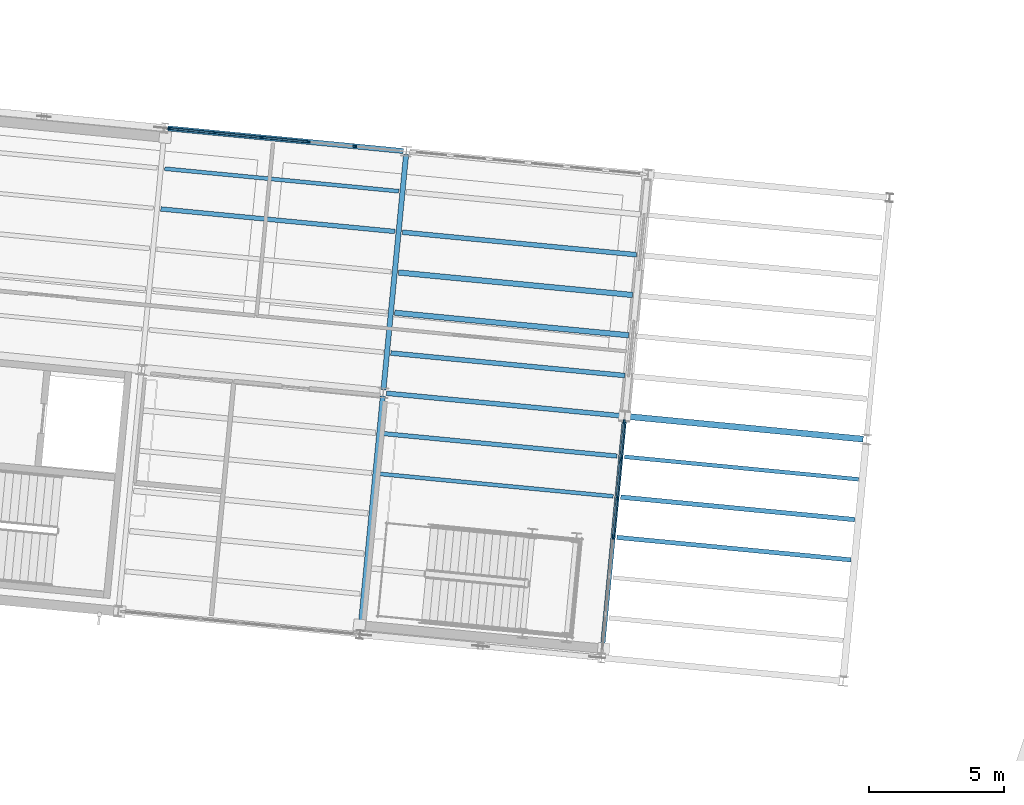
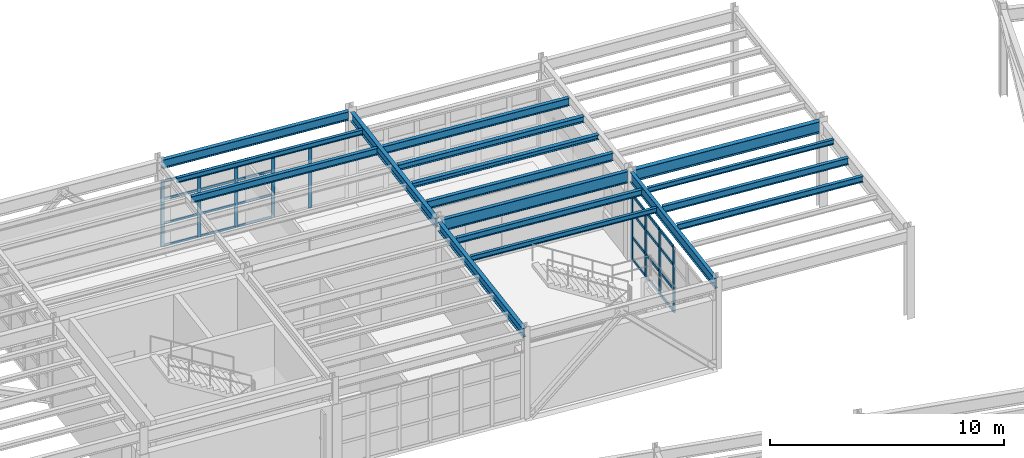
# One storey, part 48 of 109: 33 members, 17 beams, 2 elements without a shape of their own.
"""IFC4 building model written with IfcOpenShell, lengths in metres."""

import ifcopenshell
import ifcopenshell.guid

model = None  # the IFC model being written
_history = None  # IfcOwnerHistory: only IFC2X3 demands one
_inside = {}  # id of a spatial element -> (the spatial element, [elements in it])
_under = {}  # id of a project, library or spatial element -> (it, [spatial elements below it])
_declared = {}  # id of a project -> (the project, [libraries it declares])
_typed = {}  # id of a type object -> (the type object, [elements of that type])
_made_of = {}  # id of a material, layer set ... -> (it, [elements and type objects made of it])


def new_model(schema):
    """Start an empty IFC model of exactly this schema.

    Asked for "IFC4X3", IfcOpenShell would pick the latest addendum, in which some entities
    have other attributes; the version numbers below select the first issue.
    IFC2X3 requires an IfcOwnerHistory on every rooted entity: one is made here for all.
    """
    global model, _history
    if schema == "IFC4X3":
        model = ifcopenshell.file(schema_version=(4, 3, 0, 0))
    else:
        model = ifcopenshell.file(schema=schema)
    _inside.clear()
    _under.clear()
    _declared.clear()
    _typed.clear()
    _made_of.clear()
    _history = None
    if model.schema == "IFC2X3":
        org = make("IfcOrganization", Name="unknown")
        user = make(
            "IfcPersonAndOrganization",
            ThePerson=make("IfcPerson", FamilyName="unknown"),
            TheOrganization=org,
        )
        app = make(
            "IfcApplication",
            ApplicationDeveloper=org,
            Version="unknown",
            ApplicationFullName="unknown",
            ApplicationIdentifier="unknown",
        )
        _history = make(
            "IfcOwnerHistory",
            OwningUser=user,
            OwningApplication=app,
            ChangeAction="ADDED",
            CreationDate=0,
        )
    return model


def make(cls, **values):
    """One entity of the class cls with the attributes given. An attribute that is None is left unset."""
    return model.create_entity(
        cls, **{name: value for name, value in values.items() if value is not None}
    )


def rooted(cls, **values):
    """An entity with a GlobalId (a new one), such as an element, a storey or a relation."""
    return make(cls, GlobalId=ifcopenshell.guid.new(), OwnerHistory=_history, **values)


def si_unit(unit_type, name, prefix=None):
    """IfcSIUnit, for example si_unit("LENGTHUNIT", "METRE", prefix="MILLI")."""
    return make("IfcSIUnit", UnitType=unit_type, Prefix=prefix, Name=name)


def assignment(units):
    """IfcUnitAssignment: the units of a project."""
    return None if units is None else make("IfcUnitAssignment", Units=units)


def point(xyz):
    """IfcCartesianPoint."""
    return None if xyz is None else make("IfcCartesianPoint", Coordinates=xyz)


def direction(xyz):
    """IfcDirection."""
    return None if xyz is None else make("IfcDirection", DirectionRatios=xyz)


def frame(location, z_axis=None, x_axis=None):
    """IfcAxis2Placement3D, a coordinate frame: its origin and axes. An axis left out is left unset."""
    return make(
        "IfcAxis2Placement3D",
        Location=point(location),
        Axis=direction(z_axis),
        RefDirection=direction(x_axis),
    )


def frame_2d(location, x_axis=None):
    """IfcAxis2Placement2D, a coordinate frame in the plane: its origin and x axis."""
    return make(
        "IfcAxis2Placement2D", Location=point(location), RefDirection=direction(x_axis)
    )


def origin():
    """The frame at (0, 0, 0) with its axes left unset."""
    return frame((0.0, 0.0, 0.0))


def origin_2d():
    """The frame at (0, 0) in the plane with its x axis left unset."""
    return frame_2d((0.0, 0.0))


def place(relative_to, where):
    """IfcLocalPlacement: puts the frame where relative to a parent placement (None: the world)."""
    return make(
        "IfcLocalPlacement", PlacementRelTo=relative_to, RelativePlacement=where
    )


def context(
    kind, dimensions, precision=None, world=None, true_north=None, identifier=None
):
    """IfcGeometricRepresentationContext, for example the 3D "Model" context."""
    return make(
        "IfcGeometricRepresentationContext",
        ContextIdentifier=identifier,
        ContextType=kind,
        CoordinateSpaceDimension=dimensions,
        Precision=precision,
        WorldCoordinateSystem=world,
        TrueNorth=true_north,
    )


def subcontext(parent, identifier, kind, view, scale=None):
    """IfcGeometricRepresentationSubContext, for example "Body" below "Model"."""
    return make(
        "IfcGeometricRepresentationSubContext",
        ContextIdentifier=identifier,
        ContextType=kind,
        ParentContext=parent,
        TargetScale=scale,
        TargetView=view,
    )


def project(units=None, contexts=None):
    """IfcProject with its units and contexts."""
    return rooted(
        "IfcProject",
        Name="project",
        RepresentationContexts=contexts,
        UnitsInContext=assignment(units),
    )


def spatial(cls, under=None, at=None, **own):
    """A site, building, storey or space (cls), placed at a placement, below another one or the project."""
    s = rooted(cls, ObjectPlacement=at, **own)
    if under is not None:
        _under.setdefault(under.id(), (under, []))[1].append(s)
    return s


def profile(cls, at=None, kind="AREA", **sizes):
    """A parametric profile (cls). Its sizes go by their IFC names, for example OverallWidth=200.0."""
    return make(cls, ProfileType=kind, Position=at, **sizes)


def rectangle(**sizes):
    """IfcRectangleProfileDef."""
    return profile("IfcRectangleProfileDef", **sizes)


def i_section(**sizes):
    """IfcIShapeProfileDef."""
    return profile("IfcIShapeProfileDef", **sizes)


def extrude(swept, where, along, depth):
    """IfcExtrudedAreaSolid: the profile swept, set in the frame where, extruded along a direction by depth."""
    return make(
        "IfcExtrudedAreaSolid",
        SweptArea=swept,
        Position=where,
        ExtrudedDirection=direction(along),
        Depth=depth,
    )


def shape(context_of_items, identifier, shape_type, items):
    """IfcShapeRepresentation: the items that make up one representation, for example the "Body"."""
    return make(
        "IfcShapeRepresentation",
        ContextOfItems=context_of_items,
        RepresentationIdentifier=identifier,
        RepresentationType=shape_type,
        Items=items,
    )


def material(Name=None, Category=None):
    """IfcMaterial."""
    return make("IfcMaterial", Name=Name, Category=Category)


def layer(
    of_material, thickness, ventilated=None, Name=None, Category=None, Priority=None
):
    """IfcMaterialLayer: one layer of a wall or slab, of a material (None: an air gap)."""
    return make(
        "IfcMaterialLayer",
        Material=of_material,
        LayerThickness=thickness,
        IsVentilated=ventilated,
        Name=Name,
        Category=Category,
        Priority=Priority,
    )


def layer_set(layers, Name=None):
    """IfcMaterialLayerSet."""
    return make("IfcMaterialLayerSet", MaterialLayers=layers, LayerSetName=Name)


def material_profile(
    of_material, cross_section, Name=None, Category=None, Priority=None
):
    """IfcMaterialProfile: a cross section and its material."""
    return make(
        "IfcMaterialProfile",
        Name=Name,
        Material=of_material,
        Profile=cross_section,
        Priority=Priority,
        Category=Category,
    )


def profile_set(profiles, Name=None, composite=None):
    """IfcMaterialProfileSet."""
    return make(
        "IfcMaterialProfileSet",
        Name=Name,
        MaterialProfiles=profiles,
        CompositeProfile=composite,
    )


def made_of(thing, what):
    """Note that an element or type object is made of a material, layer set ...; save() writes the relation."""
    if what is not None:
        _made_of.setdefault(what.id(), (what, []))[1].append(thing)
    return thing


def type_object(cls, material=None, **own):
    """A type object (cls), such as IfcWallType, which elements share."""
    return made_of(rooted(cls, **own), material)


def element(
    cls,
    number,
    at=None,
    inside=None,
    cuts=None,
    type_object=None,
    material=None,
    context=None,
    identifier="Body",
    shape_type=None,
    held_by="IfcProductDefinitionShape",
    body=None,
    shapes=None,
    **own,
):
    """One element of the class cls, such as IfcWall. Its Tag is "e" and its number.

    at: its placement. inside: the storey or other place that contains it. cuts: it is an
    opening in that element (IfcRelVoidsElement). A single representation is given by context,
    identifier, shape_type and body (its items); several are given by shapes. held_by: the class
    of the entity that holds the representations. save() writes the other relations.
    """
    e = rooted(cls, Tag="e%d" % number, ObjectPlacement=at, **own)
    if body is not None:
        shapes = [shape(context, identifier, shape_type, body)]
    if shapes is not None:
        e.Representation = make(held_by, Representations=shapes)
    if inside is not None:
        _inside.setdefault(inside.id(), (inside, []))[1].append(e)
    if cuts is not None:
        rooted(
            "IfcRelVoidsElement", RelatingBuildingElement=cuts, RelatedOpeningElement=e
        )
    if type_object is not None:
        _typed.setdefault(type_object.id(), (type_object, []))[1].append(e)
    return made_of(e, material)


def aggregate(whole, parts):
    """IfcRelAggregates: a whole, such as a stair, and the parts it consists of."""
    return rooted("IfcRelAggregates", RelatingObject=whole, RelatedObjects=parts)


def save(model, path):
    """Write the relations noted so far, then the file.

    IfcRelAggregates (storeys below a building ...), IfcRelContainedInSpatialStructure (elements
    in a storey), IfcRelDefinesByType, IfcRelAssociatesMaterial and IfcRelDeclares: one each for
    every whole, place, type object, material and project.
    """
    for whole, parts in _under.values():
        aggregate(whole, parts)
    for where, things in _inside.values():
        rooted(
            "IfcRelContainedInSpatialStructure",
            RelatedElements=things,
            RelatingStructure=where,
        )
    for kind, things in _typed.values():
        rooted("IfcRelDefinesByType", RelatedObjects=things, RelatingType=kind)
    for what, things in _made_of.values():
        rooted("IfcRelAssociatesMaterial", RelatedObjects=things, RelatingMaterial=what)
    for by, libraries in _declared.values():
        rooted("IfcRelDeclares", RelatingContext=by, RelatedDefinitions=libraries)
    model.write(path)


model = new_model("IFC4")

# Units and contexts
model_context = context("Model", 3, precision=1e-05, world=origin(), true_north=direction((0.0, 1.0)))
body_context = subcontext(model_context, "Body", "Model", "MODEL_VIEW")
ifc_project = project(units=[si_unit("LENGTHUNIT", "METRE"), si_unit("AREAUNIT", "SQUARE_METRE"), si_unit("VOLUMEUNIT", "CUBIC_METRE"), si_unit("PLANEANGLEUNIT", "RADIAN"), si_unit("MASSUNIT", "GRAM", prefix="KILO")], contexts=[model_context])

# Site, building, storey
site_placement = place(None, origin())
site = spatial("IfcSite", under=ifc_project, at=site_placement, CompositionType="ELEMENT")
building_placement = place(site_placement, origin())
building = spatial("IfcBuilding", under=site, at=building_placement, Name="Vireo Bluff Cable Station", CompositionType="ELEMENT")
storey_placement = place(building_placement, frame((0.0, 0.0, 4.800048828125)))
storey = spatial("IfcBuildingStorey", under=building, at=storey_placement, Name="L01", CompositionType="ELEMENT", Elevation=4.800048828125)

# Beams
ifc_material_1 = material(Name="Steel ASTM A992 Gr. 50", Category="steel")
ifc_material_profile_1 = material_profile(ifc_material_1, i_section(OverallWidth=0.19091796875, OverallDepth=0.45703125, WebThickness=0.009033203125, FlangeThickness=0.014404296875, FilletRadius=0.011962890625, at=origin_2d()), Name="W18X50")
ifc_profile_set_1 = profile_set([ifc_material_profile_1], Name="Steel ASTM A992 Gr. 50")
beam_type_1 = type_object("IfcBeamType", Name="BM-W18X50", PredefinedType="BEAM", material=ifc_profile_set_1)
beam_1_placement = place(storey_placement, frame((85.666748046875, 65.398193359375, 4.3115234375), z_axis=(0.095846764416, 0.995396100932, 0.0), x_axis=(-0.995396100932, 0.095846764416, 0.0)))
element("IfcBeam", 1, at=beam_1_placement, inside=storey, type_object=beam_type_1, Name="V3 L01 beam 659", PredefinedType="BEAM", context=body_context, shape_type="SweptSolid", body=[
    extrude(i_section(OverallWidth=0.19091796875, OverallDepth=0.45703125, WebThickness=0.009033203125, FlangeThickness=0.014404296875, FilletRadius=0.011962890625, at=origin_2d()), origin(), (0.0, 0.0, 1.0), 8.759765625),
])
ifc_material_profile_2 = material_profile(ifc_material_1, i_section(OverallWidth=0.193115234375, OverallDepth=0.467041015625, WebThickness=0.011474609375, FlangeThickness=0.01904296875, FilletRadius=0.011962890625, at=origin_2d()), Name="W18X65")
ifc_profile_set_2 = profile_set([ifc_material_profile_2], Name="Steel ASTM A992 Gr. 50")
beam_type_2 = type_object("IfcBeamType", Name="BM-W18X65", PredefinedType="BEAM", material=ifc_profile_set_2)
beam_2_placement = place(storey_placement, frame((86.529296875, 74.356689453125, 4.306396484375), z_axis=(0.095844105487, 0.995396356957, 0.0), x_axis=(-0.995396356957, 0.095844105487, 0.0)))
element("IfcBeam", 2, at=beam_2_placement, inside=storey, type_object=beam_type_2, Name="V3 L01 beam 660", PredefinedType="BEAM", context=body_context, shape_type="SweptSolid", body=[
    extrude(i_section(OverallWidth=0.193115234375, OverallDepth=0.467041015625, WebThickness=0.011474609375, FlangeThickness=0.01904296875, FilletRadius=0.011962890625, at=origin_2d()), origin(), (0.0, 0.0, 1.0), 8.760009765625),
])
ifc_material_profile_3 = material_profile(ifc_material_1, i_section(OverallWidth=0.166015625, OverallDepth=0.528076171875, WebThickness=0.009765625, FlangeThickness=0.013671875, FilletRadius=0.012939453125, at=origin_2d()), Name="W21X50")
ifc_profile_set_3 = profile_set([ifc_material_profile_3], Name="Steel ASTM A992 Gr. 50")
beam_type_3 = type_object("IfcBeamType", Name="BM-W21X50", PredefinedType="BEAM", material=ifc_profile_set_3)
beam_3_placement = place(storey_placement, frame((94.625244140625, 64.535400390625, 4.27587890625), z_axis=(0.095844105487, 0.995396356957, 0.0), x_axis=(-0.995396356957, 0.095844105487, 0.0)))
element("IfcBeam", 3, at=beam_3_placement, inside=storey, type_object=beam_type_3, Name="V3 L01 beam 661", PredefinedType="BEAM", context=body_context, shape_type="SweptSolid", body=[
    extrude(i_section(OverallWidth=0.166015625, OverallDepth=0.528076171875, WebThickness=0.009765625, FlangeThickness=0.013671875, FilletRadius=0.012939453125, at=origin_2d()), origin(), (0.0, 0.0, 1.0), 8.760009765625),
])

# Curtain wall, members
ifc_material_2 = material(Name="Anodized Aluminium 6063-T6", Category="aluminium")
ifc_layer_1 = layer(ifc_material_2, 0.179931640625, Name="Anodized Aluminium 6063-T6")
ifc_layer_set_1 = layer_set([ifc_layer_1], Name="Anodized Aluminium 6063-T6")
curtain_wall_type_1 = type_object("IfcCurtainWallType", Name="CW-UNIT-1500", PredefinedType="USERDEFINED", material=ifc_layer_set_1)
curtain_wall_1_placement = place(storey_placement, origin())
curtain_wall_1 = element("IfcCurtainWall", 4, at=curtain_wall_1_placement, inside=storey, type_object=curtain_wall_type_1, Name="V3 L01 east curtain wall CW-076", ObjectType="UNITISED CURTAIN WALL", PredefinedType="USERDEFINED")
ifc_material_profile_4 = material_profile(ifc_material_2, rectangle(XDim=0.06494140625, YDim=0.179931640625, at=origin_2d()), Name="ALU-M-65X180")
ifc_profile_set_4 = profile_set([ifc_material_profile_4], Name="Anodized Aluminium 6063-T6")
member_type_1 = type_object("IfcMemberType", Name="CWM-01", PredefinedType="MULLION", material=ifc_profile_set_4)
member_1_placement = place(storey_placement, frame((95.455810546875, 73.1611328125, 0.0), z_axis=(0.0, 0.0, 1.0), x_axis=(0.995396199521, -0.095845740533, 0.0)))
member_1 = element("IfcMember", 5, at=member_1_placement, type_object=member_type_1, Name="CW-076 mullion 1", PredefinedType="MULLION", context=body_context, shape_type="SweptSolid", body=[
    extrude(rectangle(XDim=0.06494140625, YDim=0.179931640625, at=origin_2d()), origin(), (0.0, 0.0, 1.0), 3.39990234375),
])
member_2_placement = place(storey_placement, frame((95.321044921875, 71.760986328125, 0.0), z_axis=(0.0, 0.0, 1.0), x_axis=(0.995396199521, -0.095845740533, 0.0)))
member_2 = element("IfcMember", 6, at=member_2_placement, type_object=member_type_1, Name="CW-076 mullion 2", PredefinedType="MULLION", context=body_context, shape_type="SweptSolid", body=[
    extrude(rectangle(XDim=0.06494140625, YDim=0.179931640625, at=origin_2d()), origin(), (0.0, 0.0, 1.0), 3.39990234375),
])
member_3_placement = place(storey_placement, frame((95.18310546875, 70.32861328125, 0.0), z_axis=(0.0, 0.0, 1.0), x_axis=(0.995396199521, -0.095845740533, 0.0)))
member_3 = element("IfcMember", 7, at=member_3_placement, type_object=member_type_1, Name="CW-076 mullion 3", PredefinedType="MULLION", context=body_context, shape_type="SweptSolid", body=[
    extrude(rectangle(XDim=0.06494140625, YDim=0.179931640625, at=origin_2d()), origin(), (0.0, 0.0, 1.0), 3.39990234375),
])
member_4_placement = place(storey_placement, frame((95.045166015625, 68.89599609375, 0.0), z_axis=(0.0, 0.0, 1.0), x_axis=(0.995396199521, -0.095845740533, 0.0)))
member_4 = element("IfcMember", 8, at=member_4_placement, type_object=member_type_1, Name="CW-076 mullion 4", PredefinedType="MULLION", context=body_context, shape_type="SweptSolid", body=[
    extrude(rectangle(XDim=0.06494140625, YDim=0.179931640625, at=origin_2d()), origin(), (0.0, 0.0, 1.0), 3.39990234375),
])

ifc_layer_2 = layer(ifc_material_2, 0.179931640625, Name="Anodized Aluminium 6063-T6")
ifc_layer_set_2 = layer_set([ifc_layer_2], Name="Anodized Aluminium 6063-T6")
curtain_wall_type_2 = type_object("IfcCurtainWallType", Name="CW-UNIT-1650", PredefinedType="USERDEFINED", material=ifc_layer_set_2)
curtain_wall_2_placement = place(storey_placement, origin())
curtain_wall_2 = element("IfcCurtainWall", 9, at=curtain_wall_2_placement, inside=storey, type_object=curtain_wall_type_2, Name="V3 L01 north curtain wall CW-074", ObjectType="UNITISED CURTAIN WALL", PredefinedType="USERDEFINED")
ifc_material_profile_5 = material_profile(ifc_material_2, rectangle(XDim=0.06005859375, YDim=0.159912109375, at=origin_2d()), Name="ALU-M-60X160")
ifc_profile_set_5 = profile_set([ifc_material_profile_5], Name="Anodized Aluminium 6063-T6")
member_type_2 = type_object("IfcMemberType", Name="CWM-03", PredefinedType="MULLION", material=ifc_profile_set_5)
member_5_placement = place(storey_placement, frame((78.58154296875, 84.04296875, 0.0), z_axis=(0.0, 0.0, 1.0), x_axis=(0.095845775904, 0.995396196116, 0.0)))
member_5 = element("IfcMember", 10, at=member_5_placement, type_object=member_type_2, Name="CW-074 mullion 1", PredefinedType="MULLION", context=body_context, shape_type="SweptSolid", body=[
    extrude(rectangle(XDim=0.06005859375, YDim=0.159912109375, at=origin_2d()), origin(), (0.0, 0.0, 1.0), 3.39990234375),
])
member_6_placement = place(storey_placement, frame((80.2802734375, 83.87939453125, 0.0), z_axis=(0.0, 0.0, 1.0), x_axis=(0.095845775904, 0.995396196116, 0.0)))
member_6 = element("IfcMember", 11, at=member_6_placement, type_object=member_type_2, Name="CW-074 mullion 2", PredefinedType="MULLION", context=body_context, shape_type="SweptSolid", body=[
    extrude(rectangle(XDim=0.06005859375, YDim=0.159912109375, at=origin_2d()), origin(), (0.0, 0.0, 1.0), 3.39990234375),
])
member_7_placement = place(storey_placement, frame((82.0087890625, 83.713134765625, 0.0), z_axis=(0.0, 0.0, 1.0), x_axis=(0.095845775904, 0.995396196116, 0.0)))
member_7 = element("IfcMember", 12, at=member_7_placement, type_object=member_type_2, Name="CW-074 mullion 3", PredefinedType="MULLION", context=body_context, shape_type="SweptSolid", body=[
    extrude(rectangle(XDim=0.06005859375, YDim=0.159912109375, at=origin_2d()), origin(), (0.0, 0.0, 1.0), 3.39990234375),
])
member_8_placement = place(storey_placement, frame((83.7373046875, 83.546630859375, 0.0), z_axis=(0.0, 0.0, 1.0), x_axis=(0.095845775904, 0.995396196116, 0.0)))
member_8 = element("IfcMember", 13, at=member_8_placement, type_object=member_type_2, Name="CW-074 mullion 4", PredefinedType="MULLION", context=body_context, shape_type="SweptSolid", body=[
    extrude(rectangle(XDim=0.06005859375, YDim=0.159912109375, at=origin_2d()), origin(), (0.0, 0.0, 1.0), 3.39990234375),
])
member_9_placement = place(storey_placement, frame((85.4658203125, 83.380126953125, 0.0), z_axis=(0.0, 0.0, 1.0), x_axis=(0.095845775904, 0.995396196116, 0.0)))
member_9 = element("IfcMember", 14, at=member_9_placement, type_object=member_type_2, Name="CW-074 mullion 5", PredefinedType="MULLION", context=body_context, shape_type="SweptSolid", body=[
    extrude(rectangle(XDim=0.06005859375, YDim=0.159912109375, at=origin_2d()), origin(), (0.0, 0.0, 1.0), 3.39990234375),
])

# Member
ifc_material_profile_6 = material_profile(ifc_material_2, rectangle(XDim=0.06494140625, YDim=0.139892578125, at=origin_2d()), Name="ALU-T-65X140")
ifc_profile_set_6 = profile_set([ifc_material_profile_6], Name="Anodized Aluminium 6063-T6")
member_type_3 = type_object("IfcMemberType", Name="CWT-01", PredefinedType="USERDEFINED", material=ifc_profile_set_6)
member_10_placement = place(storey_placement, frame((95.45263671875, 73.128662109375, 0.032470703125), z_axis=(-0.095736683362, -0.995406694502, 0.0), x_axis=(0.995406694502, -0.095736683362, 0.0)))
member_10 = element("IfcMember", 15, at=member_10_placement, type_object=member_type_3, Name="CW-076 transom 1.1", ObjectType="TRANSOM", PredefinedType="USERDEFINED", context=body_context, shape_type="SweptSolid", body=[
    extrude(rectangle(XDim=0.06494140625, YDim=0.139892578125, at=origin_2d()), origin(), (0.0, 0.0, 1.0), 1.34130859375),
])

member_11_placement = place(storey_placement, frame((95.45263671875, 73.128662109375, 1.18994140625), z_axis=(-0.095736683362, -0.995406694502, 0.0), x_axis=(0.995406694502, -0.095736683362, 0.0)))
member_11 = element("IfcMember", 16, at=member_11_placement, type_object=member_type_3, Name="CW-076 transom 1.2", ObjectType="TRANSOM", PredefinedType="USERDEFINED", context=body_context, shape_type="SweptSolid", body=[
    extrude(rectangle(XDim=0.06494140625, YDim=0.139892578125, at=origin_2d()), origin(), (0.0, 0.0, 1.0), 1.34130859375),
])

member_12_placement = place(storey_placement, frame((95.45263671875, 73.128662109375, 2.447998046875), z_axis=(-0.095736683362, -0.995406694502, 0.0), x_axis=(0.995406694502, -0.095736683362, 0.0)))
member_12 = element("IfcMember", 17, at=member_12_placement, type_object=member_type_3, Name="CW-076 transom 1.3", ObjectType="TRANSOM", PredefinedType="USERDEFINED", context=body_context, shape_type="SweptSolid", body=[
    extrude(rectangle(XDim=0.06494140625, YDim=0.139892578125, at=origin_2d()), origin(), (0.0, 0.0, 1.0), 1.34130859375),
])

member_13_placement = place(storey_placement, frame((95.45263671875, 73.128662109375, 3.367431640625), z_axis=(-0.095736683362, -0.995406694502, 0.0), x_axis=(0.995406694502, -0.095736683362, 0.0)))
member_13 = element("IfcMember", 18, at=member_13_placement, type_object=member_type_3, Name="CW-076 transom 1.4", ObjectType="TRANSOM", PredefinedType="USERDEFINED", context=body_context, shape_type="SweptSolid", body=[
    extrude(rectangle(XDim=0.06494140625, YDim=0.139892578125, at=origin_2d()), origin(), (0.0, 0.0, 1.0), 1.34130859375),
])

member_14_placement = place(storey_placement, frame((95.31787109375, 71.728515625, 0.032470703125), z_axis=(-0.095773350082, -0.995403167271, 0.0), x_axis=(0.995403167271, -0.095773350082, 0.0)))
member_14 = element("IfcMember", 19, at=member_14_placement, type_object=member_type_3, Name="CW-076 transom 2.1", ObjectType="TRANSOM", PredefinedType="USERDEFINED", context=body_context, shape_type="SweptSolid", body=[
    extrude(rectangle(XDim=0.06494140625, YDim=0.139892578125, at=origin_2d()), origin(), (0.0, 0.0, 1.0), 1.3740234375),
])

member_15_placement = place(storey_placement, frame((95.31787109375, 71.728515625, 1.18994140625), z_axis=(-0.095773350082, -0.995403167271, 0.0), x_axis=(0.995403167271, -0.095773350082, 0.0)))
member_15 = element("IfcMember", 20, at=member_15_placement, type_object=member_type_3, Name="CW-076 transom 2.2", ObjectType="TRANSOM", PredefinedType="USERDEFINED", context=body_context, shape_type="SweptSolid", body=[
    extrude(rectangle(XDim=0.06494140625, YDim=0.139892578125, at=origin_2d()), origin(), (0.0, 0.0, 1.0), 1.3740234375),
])

member_16_placement = place(storey_placement, frame((95.31787109375, 71.728515625, 2.447998046875), z_axis=(-0.095773350082, -0.995403167271, 0.0), x_axis=(0.995403167271, -0.095773350082, 0.0)))
member_16 = element("IfcMember", 21, at=member_16_placement, type_object=member_type_3, Name="CW-076 transom 2.3", ObjectType="TRANSOM", PredefinedType="USERDEFINED", context=body_context, shape_type="SweptSolid", body=[
    extrude(rectangle(XDim=0.06494140625, YDim=0.139892578125, at=origin_2d()), origin(), (0.0, 0.0, 1.0), 1.3740234375),
])

member_17_placement = place(storey_placement, frame((95.31787109375, 71.728515625, 3.367431640625), z_axis=(-0.095773350082, -0.995403167271, 0.0), x_axis=(0.995403167271, -0.095773350082, 0.0)))
member_17 = element("IfcMember", 22, at=member_17_placement, type_object=member_type_3, Name="CW-076 transom 2.4", ObjectType="TRANSOM", PredefinedType="USERDEFINED", context=body_context, shape_type="SweptSolid", body=[
    extrude(rectangle(XDim=0.06494140625, YDim=0.139892578125, at=origin_2d()), origin(), (0.0, 0.0, 1.0), 1.3740234375),
])

member_18_placement = place(storey_placement, frame((95.179931640625, 70.296142578125, 0.032470703125), z_axis=(-0.095773350082, -0.995403167271, 0.0), x_axis=(0.995403167271, -0.095773350082, 0.0)))
member_18 = element("IfcMember", 23, at=member_18_placement, type_object=member_type_3, Name="CW-076 transom 3.1", ObjectType="TRANSOM", PredefinedType="USERDEFINED", context=body_context, shape_type="SweptSolid", body=[
    extrude(rectangle(XDim=0.06494140625, YDim=0.139892578125, at=origin_2d()), origin(), (0.0, 0.0, 1.0), 1.3740234375),
])

member_19_placement = place(storey_placement, frame((95.179931640625, 70.296142578125, 1.18994140625), z_axis=(-0.095773350082, -0.995403167271, 0.0), x_axis=(0.995403167271, -0.095773350082, 0.0)))
member_19 = element("IfcMember", 24, at=member_19_placement, type_object=member_type_3, Name="CW-076 transom 3.2", ObjectType="TRANSOM", PredefinedType="USERDEFINED", context=body_context, shape_type="SweptSolid", body=[
    extrude(rectangle(XDim=0.06494140625, YDim=0.139892578125, at=origin_2d()), origin(), (0.0, 0.0, 1.0), 1.3740234375),
])

member_20_placement = place(storey_placement, frame((95.179931640625, 70.296142578125, 2.447998046875), z_axis=(-0.095773350082, -0.995403167271, 0.0), x_axis=(0.995403167271, -0.095773350082, 0.0)))
member_20 = element("IfcMember", 25, at=member_20_placement, type_object=member_type_3, Name="CW-076 transom 3.3", ObjectType="TRANSOM", PredefinedType="USERDEFINED", context=body_context, shape_type="SweptSolid", body=[
    extrude(rectangle(XDim=0.06494140625, YDim=0.139892578125, at=origin_2d()), origin(), (0.0, 0.0, 1.0), 1.3740234375),
])

member_21_placement = place(storey_placement, frame((95.179931640625, 70.296142578125, 3.367431640625), z_axis=(-0.095773350082, -0.995403167271, 0.0), x_axis=(0.995403167271, -0.095773350082, 0.0)))
member_21 = element("IfcMember", 26, at=member_21_placement, type_object=member_type_3, Name="CW-076 transom 3.4", ObjectType="TRANSOM", PredefinedType="USERDEFINED", context=body_context, shape_type="SweptSolid", body=[
    extrude(rectangle(XDim=0.06494140625, YDim=0.139892578125, at=origin_2d()), origin(), (0.0, 0.0, 1.0), 1.3740234375),
])

aggregate(curtain_wall_1, [member_1, member_2, member_3, member_4, member_10, member_11, member_12, member_13, member_14, member_15, member_16, member_17, member_18, member_19, member_20, member_21])

ifc_material_profile_7 = material_profile(ifc_material_2, rectangle(XDim=0.06005859375, YDim=0.1201171875, at=origin_2d()), Name="ALU-T-60X120")
ifc_profile_set_7 = profile_set([ifc_material_profile_7], Name="Anodized Aluminium 6063-T6")
member_type_4 = type_object("IfcMemberType", Name="CWT-03", PredefinedType="USERDEFINED", material=ifc_profile_set_7)
member_22_placement = place(storey_placement, frame((78.611572265625, 84.0400390625, 0.030029296875), z_axis=(0.995401690977, -0.095788692443, 0.0), x_axis=(0.095788692443, 0.995401690977, 0.0)))
member_22 = element("IfcMember", 27, at=member_22_placement, type_object=member_type_4, Name="CW-074 transom 1.1", ObjectType="TRANSOM", PredefinedType="USERDEFINED", context=body_context, shape_type="SweptSolid", body=[
    extrude(rectangle(XDim=0.06005859375, YDim=0.1201171875, at=origin_2d()), origin(), (0.0, 0.0, 1.0), 1.646484375),
])

member_23_placement = place(storey_placement, frame((78.611572265625, 84.0400390625, 1.18994140625), z_axis=(0.995401690977, -0.095788692443, 0.0), x_axis=(0.095788692443, 0.995401690977, 0.0)))
member_23 = element("IfcMember", 28, at=member_23_placement, type_object=member_type_4, Name="CW-074 transom 1.2", ObjectType="TRANSOM", PredefinedType="USERDEFINED", context=body_context, shape_type="SweptSolid", body=[
    extrude(rectangle(XDim=0.06005859375, YDim=0.1201171875, at=origin_2d()), origin(), (0.0, 0.0, 1.0), 1.646484375),
])

member_24_placement = place(storey_placement, frame((78.611572265625, 84.0400390625, 2.447998046875), z_axis=(0.995401690977, -0.095788692443, 0.0), x_axis=(0.095788692443, 0.995401690977, 0.0)))
member_24 = element("IfcMember", 29, at=member_24_placement, type_object=member_type_4, Name="CW-074 transom 1.3", ObjectType="TRANSOM", PredefinedType="USERDEFINED", context=body_context, shape_type="SweptSolid", body=[
    extrude(rectangle(XDim=0.06005859375, YDim=0.1201171875, at=origin_2d()), origin(), (0.0, 0.0, 1.0), 1.646484375),
])

member_25_placement = place(storey_placement, frame((78.611572265625, 84.0400390625, 3.369873046875), z_axis=(0.995401690977, -0.095788692443, 0.0), x_axis=(0.095788692443, 0.995401690977, 0.0)))
member_25 = element("IfcMember", 30, at=member_25_placement, type_object=member_type_4, Name="CW-074 transom 1.4", ObjectType="TRANSOM", PredefinedType="USERDEFINED", context=body_context, shape_type="SweptSolid", body=[
    extrude(rectangle(XDim=0.06005859375, YDim=0.1201171875, at=origin_2d()), origin(), (0.0, 0.0, 1.0), 1.646484375),
])

member_26_placement = place(storey_placement, frame((80.31005859375, 83.87646484375, 0.030029296875), z_axis=(0.99539941982, -0.095812290556, 0.0), x_axis=(0.095812290556, 0.99539941982, 0.0)))
member_26 = element("IfcMember", 31, at=member_26_placement, type_object=member_type_4, Name="CW-074 transom 2.1", ObjectType="TRANSOM", PredefinedType="USERDEFINED", context=body_context, shape_type="SweptSolid", body=[
    extrude(rectangle(XDim=0.06005859375, YDim=0.1201171875, at=origin_2d()), origin(), (0.0, 0.0, 1.0), 1.6767578125),
])

member_27_placement = place(storey_placement, frame((80.31005859375, 83.87646484375, 1.18994140625), z_axis=(0.99539941982, -0.095812290556, 0.0), x_axis=(0.095812290556, 0.99539941982, 0.0)))
member_27 = element("IfcMember", 32, at=member_27_placement, type_object=member_type_4, Name="CW-074 transom 2.2", ObjectType="TRANSOM", PredefinedType="USERDEFINED", context=body_context, shape_type="SweptSolid", body=[
    extrude(rectangle(XDim=0.06005859375, YDim=0.1201171875, at=origin_2d()), origin(), (0.0, 0.0, 1.0), 1.6767578125),
])

member_28_placement = place(storey_placement, frame((80.31005859375, 83.87646484375, 2.447998046875), z_axis=(0.99539941982, -0.095812290556, 0.0), x_axis=(0.095812290556, 0.99539941982, 0.0)))
member_28 = element("IfcMember", 33, at=member_28_placement, type_object=member_type_4, Name="CW-074 transom 2.3", ObjectType="TRANSOM", PredefinedType="USERDEFINED", context=body_context, shape_type="SweptSolid", body=[
    extrude(rectangle(XDim=0.06005859375, YDim=0.1201171875, at=origin_2d()), origin(), (0.0, 0.0, 1.0), 1.6767578125),
])

member_29_placement = place(storey_placement, frame((80.31005859375, 83.87646484375, 3.369873046875), z_axis=(0.99539941982, -0.095812290556, 0.0), x_axis=(0.095812290556, 0.99539941982, 0.0)))
member_29 = element("IfcMember", 34, at=member_29_placement, type_object=member_type_4, Name="CW-074 transom 2.4", ObjectType="TRANSOM", PredefinedType="USERDEFINED", context=body_context, shape_type="SweptSolid", body=[
    extrude(rectangle(XDim=0.06005859375, YDim=0.1201171875, at=origin_2d()), origin(), (0.0, 0.0, 1.0), 1.6767578125),
])

member_30_placement = place(storey_placement, frame((82.03857421875, 83.710205078125, 0.030029296875), z_axis=(0.99539941982, -0.095812290556, 0.0), x_axis=(0.095812290556, 0.99539941982, 0.0)))
member_30 = element("IfcMember", 35, at=member_30_placement, type_object=member_type_4, Name="CW-074 transom 3.1", ObjectType="TRANSOM", PredefinedType="USERDEFINED", context=body_context, shape_type="SweptSolid", body=[
    extrude(rectangle(XDim=0.06005859375, YDim=0.1201171875, at=origin_2d()), origin(), (0.0, 0.0, 1.0), 1.6767578125),
])

member_31_placement = place(storey_placement, frame((82.03857421875, 83.710205078125, 1.18994140625), z_axis=(0.99539941982, -0.095812290556, 0.0), x_axis=(0.095812290556, 0.99539941982, 0.0)))
member_31 = element("IfcMember", 36, at=member_31_placement, type_object=member_type_4, Name="CW-074 transom 3.2", ObjectType="TRANSOM", PredefinedType="USERDEFINED", context=body_context, shape_type="SweptSolid", body=[
    extrude(rectangle(XDim=0.06005859375, YDim=0.1201171875, at=origin_2d()), origin(), (0.0, 0.0, 1.0), 1.6767578125),
])

member_32_placement = place(storey_placement, frame((82.03857421875, 83.710205078125, 2.447998046875), z_axis=(0.99539941982, -0.095812290556, 0.0), x_axis=(0.095812290556, 0.99539941982, 0.0)))
member_32 = element("IfcMember", 37, at=member_32_placement, type_object=member_type_4, Name="CW-074 transom 3.3", ObjectType="TRANSOM", PredefinedType="USERDEFINED", context=body_context, shape_type="SweptSolid", body=[
    extrude(rectangle(XDim=0.06005859375, YDim=0.1201171875, at=origin_2d()), origin(), (0.0, 0.0, 1.0), 1.6767578125),
])

member_33_placement = place(storey_placement, frame((82.03857421875, 83.710205078125, 3.369873046875), z_axis=(0.99539941982, -0.095812290556, 0.0), x_axis=(0.095812290556, 0.99539941982, 0.0)))
member_33 = element("IfcMember", 38, at=member_33_placement, type_object=member_type_4, Name="CW-074 transom 3.4", ObjectType="TRANSOM", PredefinedType="USERDEFINED", context=body_context, shape_type="SweptSolid", body=[
    extrude(rectangle(XDim=0.06005859375, YDim=0.1201171875, at=origin_2d()), origin(), (0.0, 0.0, 1.0), 1.6767578125),
])

aggregate(curtain_wall_2, [member_5, member_6, member_7, member_8, member_9, member_22, member_23, member_24, member_25, member_26, member_27, member_28, member_29, member_30, member_31, member_32, member_33])

# Beams
ifc_material_profile_8 = material_profile(ifc_material_1, i_section(OverallWidth=0.178955078125, OverallDepth=0.60302734375, WebThickness=0.010986328125, FlangeThickness=0.014892578125, FilletRadius=0.012939453125, at=origin_2d()), Name="W24X62")
ifc_profile_set_8 = profile_set([ifc_material_profile_8], Name="Steel ASTM A992 Gr. 50")
beam_type_4 = type_object("IfcBeamType", Name="GIR-W24X62", PredefinedType="USERDEFINED", material=ifc_profile_set_8)
beam_4_placement = place(storey_placement, frame((86.63720703125, 74.225830078125, 4.238525390625), z_axis=(0.995396356957, -0.095844105487, 0.0), x_axis=(0.095844105487, 0.995396356957, 0.0)))
element("IfcBeam", 39, at=beam_4_placement, inside=storey, type_object=beam_type_4, Name="V3 L01 girder 649", ObjectType="GIRDER", PredefinedType="USERDEFINED", context=body_context, shape_type="SweptSolid", body=[
    extrude(i_section(OverallWidth=0.178955078125, OverallDepth=0.60302734375, WebThickness=0.010986328125, FlangeThickness=0.014892578125, FilletRadius=0.012939453125, at=origin_2d()), origin(), (0.0, 0.0, 1.0), 8.760009765625),
])
ifc_material_profile_9 = material_profile(ifc_material_1, i_section(OverallWidth=0.22802734375, OverallDepth=0.60693359375, WebThickness=0.01123046875, FlangeThickness=0.017333984375, FilletRadius=0.012939453125, at=origin_2d()), Name="W24X76")
ifc_profile_set_9 = profile_set([ifc_material_profile_9], Name="Steel ASTM A992 Gr. 50")
beam_type_5 = type_object("IfcBeamType", Name="GIR-W24X76", PredefinedType="USERDEFINED", material=ifc_profile_set_9)
beam_5_placement = place(storey_placement, frame((95.595947265625, 73.363037109375, 4.236572265625), z_axis=(0.995396100932, -0.095846764416, 0.0), x_axis=(0.095846764416, 0.995396100932, 0.0)))
element("IfcBeam", 40, at=beam_5_placement, inside=storey, type_object=beam_type_5, Name="V3 L01 girder 650", ObjectType="GIRDER", PredefinedType="USERDEFINED", context=body_context, shape_type="SweptSolid", body=[
    extrude(i_section(OverallWidth=0.22802734375, OverallDepth=0.60693359375, WebThickness=0.01123046875, FlangeThickness=0.017333984375, FilletRadius=0.012939453125, at=origin_2d()), origin(), (0.0, 0.0, 1.0), 8.759765625),
])
ifc_material_profile_10 = material_profile(ifc_material_1, i_section(OverallWidth=0.14599609375, OverallDepth=0.259033203125, WebThickness=0.006103515625, FlangeThickness=0.009033203125, FilletRadius=0.009033203125, at=origin_2d()), Name="W10X22")
ifc_profile_set_10 = profile_set([ifc_material_profile_10], Name="Steel ASTM A992 Gr. 50")
beam_type_6 = type_object("IfcBeamType", Name="JST-W10X22", PredefinedType="JOIST", material=ifc_profile_set_10)
for number, where, z_axis, x_axis, name in (
    (41, (78.41748046875, 82.552001953125, 4.410400390625), (0.995394500818, -0.095863380609, 0.0), (0.095863380609, 0.995394500818, 0.0), "V3 L01 composite joist 679"),
    (42, (86.36962890625, 71.237548828125, 4.410400390625), (0.995397172011, -0.095835640306, 0.0), (0.095835640306, 0.995397172011, 0.0), "V3 L01 composite joist 680"),
    (43, (95.471923828125, 71.8681640625, 4.410400390625), (0.995394500818, -0.095863380609, 0.0), (0.095863380609, 0.995394500818, 0.0), "V3 L01 composite joist 691"),
):
    element("IfcBeam", number, at=place(storey_placement, frame(where, z_axis=z_axis, x_axis=x_axis)), inside=storey, type_object=beam_type_6, Name=name, PredefinedType="JOIST", context=body_context, shape_type="SweptSolid", body=[
        extrude(i_section(OverallWidth=0.14599609375, OverallDepth=0.259033203125, WebThickness=0.006103515625, FlangeThickness=0.009033203125, FilletRadius=0.009033203125, at=origin_2d()), origin(), (0.0, 0.0, 1.0), 8.719970703125),
    ])
ifc_material_profile_11 = material_profile(ifc_material_1, i_section(OverallWidth=0.201904296875, OverallDepth=0.2470703125, WebThickness=0.00732421875, FlangeThickness=0.010986328125, FilletRadius=0.009033203125, at=origin_2d()), Name="W10X33")
ifc_profile_set_11 = profile_set([ifc_material_profile_11], Name="Steel ASTM A992 Gr. 50")
beam_type_7 = type_object("IfcBeamType", Name="JST-W10X33", PredefinedType="JOIST", material=ifc_profile_set_11)
beam_6_placement = place(storey_placement, frame((86.94482421875, 77.2099609375, 4.41650390625), z_axis=(0.995396914857, -0.095838311194, 0.0), x_axis=(0.095838311194, 0.995396914857, 0.0)))
element("IfcBeam", 44, at=beam_6_placement, inside=storey, type_object=beam_type_7, Name="V3 L01 composite joist 683", PredefinedType="JOIST", context=body_context, shape_type="SweptSolid", body=[
    extrude(i_section(OverallWidth=0.201904296875, OverallDepth=0.2470703125, WebThickness=0.00732421875, FlangeThickness=0.010986328125, FilletRadius=0.009033203125, at=origin_2d()), origin(), (0.0, 0.0, 1.0), 8.7197265625),
])
ifc_material_profile_12 = material_profile(ifc_material_1, i_section(OverallWidth=0.1650390625, OverallDepth=0.31005859375, WebThickness=0.005859375, FlangeThickness=0.009765625, FilletRadius=0.010009765625, at=origin_2d()), Name="W12X26")
ifc_profile_set_12 = profile_set([ifc_material_profile_12], Name="Steel ASTM A992 Gr. 50")
beam_type_8 = type_object("IfcBeamType", Name="JST-W12X26", PredefinedType="JOIST", material=ifc_profile_set_12)
beam_7_placement = place(storey_placement, frame((86.513427734375, 72.730712890625, 4.385009765625), z_axis=(0.995397172011, -0.095835640306, 0.0), x_axis=(0.095835640306, 0.995397172011, 0.0)))
element("IfcBeam", 45, at=beam_7_placement, inside=storey, type_object=beam_type_8, Name="V3 L01 composite joist 681", PredefinedType="JOIST", context=body_context, shape_type="SweptSolid", body=[
    extrude(i_section(OverallWidth=0.1650390625, OverallDepth=0.31005859375, WebThickness=0.005859375, FlangeThickness=0.009765625, FilletRadius=0.010009765625, at=origin_2d()), origin(), (0.0, 0.0, 1.0), 8.719970703125),
])
beam_8_placement = place(storey_placement, frame((95.1845703125, 68.8818359375, 4.385009765625), z_axis=(0.995396914857, -0.095838311194, 0.0), x_axis=(0.095838311194, 0.995396914857, 0.0)))
element("IfcBeam", 46, at=beam_8_placement, inside=storey, type_object=beam_type_8, Name="V3 L01 composite joist 689", PredefinedType="JOIST", context=body_context, shape_type="SweptSolid", body=[
    extrude(i_section(OverallWidth=0.1650390625, OverallDepth=0.31005859375, WebThickness=0.005859375, FlangeThickness=0.009765625, FilletRadius=0.010009765625, at=origin_2d()), origin(), (0.0, 0.0, 1.0), 8.7197265625),
])
ifc_material_profile_13 = material_profile(ifc_material_1, i_section(OverallWidth=0.202880859375, OverallDepth=0.302978515625, WebThickness=0.007568359375, FlangeThickness=0.01318359375, FilletRadius=0.010009765625, at=origin_2d()), Name="W12X40")
ifc_profile_set_13 = profile_set([ifc_material_profile_13], Name="Steel ASTM A992 Gr. 50")
beam_type_9 = type_object("IfcBeamType", Name="JST-W12X40", PredefinedType="JOIST", material=ifc_profile_set_13)
beam_9_placement = place(storey_placement, frame((87.08837890625, 78.703125, 4.388427734375), z_axis=(0.995397172011, -0.095835640306, 0.0), x_axis=(0.095835640306, 0.995397172011, 0.0)))
element("IfcBeam", 47, at=beam_9_placement, inside=storey, type_object=beam_type_9, Name="V3 L01 composite joist 684", PredefinedType="JOIST", context=body_context, shape_type="SweptSolid", body=[
    extrude(i_section(OverallWidth=0.202880859375, OverallDepth=0.302978515625, WebThickness=0.007568359375, FlangeThickness=0.01318359375, FilletRadius=0.010009765625, at=origin_2d()), origin(), (0.0, 0.0, 1.0), 8.719970703125),
])
ifc_material_profile_14 = material_profile(ifc_material_1, i_section(OverallWidth=0.1708984375, OverallDepth=0.35107421875, WebThickness=0.0068359375, FlangeThickness=0.009765625, FilletRadius=0.010009765625, at=origin_2d()), Name="W14X30")
ifc_profile_set_14 = profile_set([ifc_material_profile_14], Name="Steel ASTM A992 Gr. 50")
beam_type_10 = type_object("IfcBeamType", Name="JST-W14X30", PredefinedType="JOIST", material=ifc_profile_set_14)
for number, where, z_axis, x_axis, name in (
    (48, (78.273681640625, 81.058837890625, 4.364501953125), (0.995394500818, -0.095863380609, 0.0), (0.095863380609, 0.995394500818, 0.0), "V3 L01 composite joist 678"),
    (49, (95.328125, 70.375, 4.364501953125), (0.995397172011, -0.095835640306, 0.0), (0.095835640306, 0.995397172011, 0.0), "V3 L01 composite joist 690"),
):
    element("IfcBeam", number, at=place(storey_placement, frame(where, z_axis=z_axis, x_axis=x_axis)), inside=storey, type_object=beam_type_10, Name=name, PredefinedType="JOIST", context=body_context, shape_type="SweptSolid", body=[
        extrude(i_section(OverallWidth=0.1708984375, OverallDepth=0.35107421875, WebThickness=0.0068359375, FlangeThickness=0.009765625, FilletRadius=0.010009765625, at=origin_2d()), origin(), (0.0, 0.0, 1.0), 8.719970703125),
    ])
ifc_material_profile_15 = material_profile(ifc_material_1, i_section(OverallWidth=0.177978515625, OverallDepth=0.404052734375, WebThickness=0.007568359375, FlangeThickness=0.010986328125, FilletRadius=0.010009765625, at=origin_2d()), Name="W16X36")
ifc_profile_set_15 = profile_set([ifc_material_profile_15], Name="Steel ASTM A992 Gr. 50")
beam_type_11 = type_object("IfcBeamType", Name="JST-W16X36", PredefinedType="JOIST", material=ifc_profile_set_15)
beam_10_placement = place(storey_placement, frame((86.801025390625, 75.716796875, 4.337890625), z_axis=(0.995396914857, -0.095838311194, 0.0), x_axis=(0.095838311194, 0.995396914857, 0.0)))
element("IfcBeam", 50, at=beam_10_placement, inside=storey, type_object=beam_type_11, Name="V3 L01 composite joist 682", PredefinedType="JOIST", context=body_context, shape_type="SweptSolid", body=[
    extrude(i_section(OverallWidth=0.177978515625, OverallDepth=0.404052734375, WebThickness=0.007568359375, FlangeThickness=0.010986328125, FilletRadius=0.010009765625, at=origin_2d()), origin(), (0.0, 0.0, 1.0), 8.7197265625),
])
beam_11_placement = place(storey_placement, frame((87.232177734375, 80.1962890625, 4.337890625), z_axis=(0.995394500818, -0.095863380609, 0.0), x_axis=(0.095863380609, 0.995394500818, 0.0)))
element("IfcBeam", 51, at=beam_11_placement, inside=storey, type_object=beam_type_11, Name="V3 L01 composite joist 685", PredefinedType="JOIST", context=body_context, shape_type="SweptSolid", body=[
    extrude(i_section(OverallWidth=0.177978515625, OverallDepth=0.404052734375, WebThickness=0.007568359375, FlangeThickness=0.010986328125, FilletRadius=0.010009765625, at=origin_2d()), origin(), (0.0, 0.0, 1.0), 8.719970703125),
])
ifc_material_profile_16 = material_profile(ifc_material_1, i_section(OverallWidth=0.19091796875, OverallDepth=0.45703125, WebThickness=0.009033203125, FlangeThickness=0.014404296875, FilletRadius=0.011962890625, at=origin_2d()), Name="W18X50")
ifc_profile_set_16 = profile_set([ifc_material_profile_16], Name="Steel ASTM A992 Gr. 50")
beam_type_12 = type_object("IfcBeamType", Name="SPN-W18X50", PredefinedType="SPANDREL", material=ifc_profile_set_16)
beam_12_placement = place(storey_placement, frame((78.541259765625, 84.046875, 4.3115234375), z_axis=(0.995396356957, -0.095844105487, 0.0), x_axis=(0.095844105487, 0.995396356957, 0.0)))
element("IfcBeam", 52, at=beam_12_placement, inside=storey, type_object=beam_type_12, Name="V3 L01 spandrel 652", PredefinedType="SPANDREL", context=body_context, shape_type="SweptSolid", body=[
    extrude(i_section(OverallWidth=0.19091796875, OverallDepth=0.45703125, WebThickness=0.009033203125, FlangeThickness=0.014404296875, FilletRadius=0.011962890625, at=origin_2d()), origin(), (0.0, 0.0, 1.0), 8.760009765625),
])

save(model, "model.ifc")
